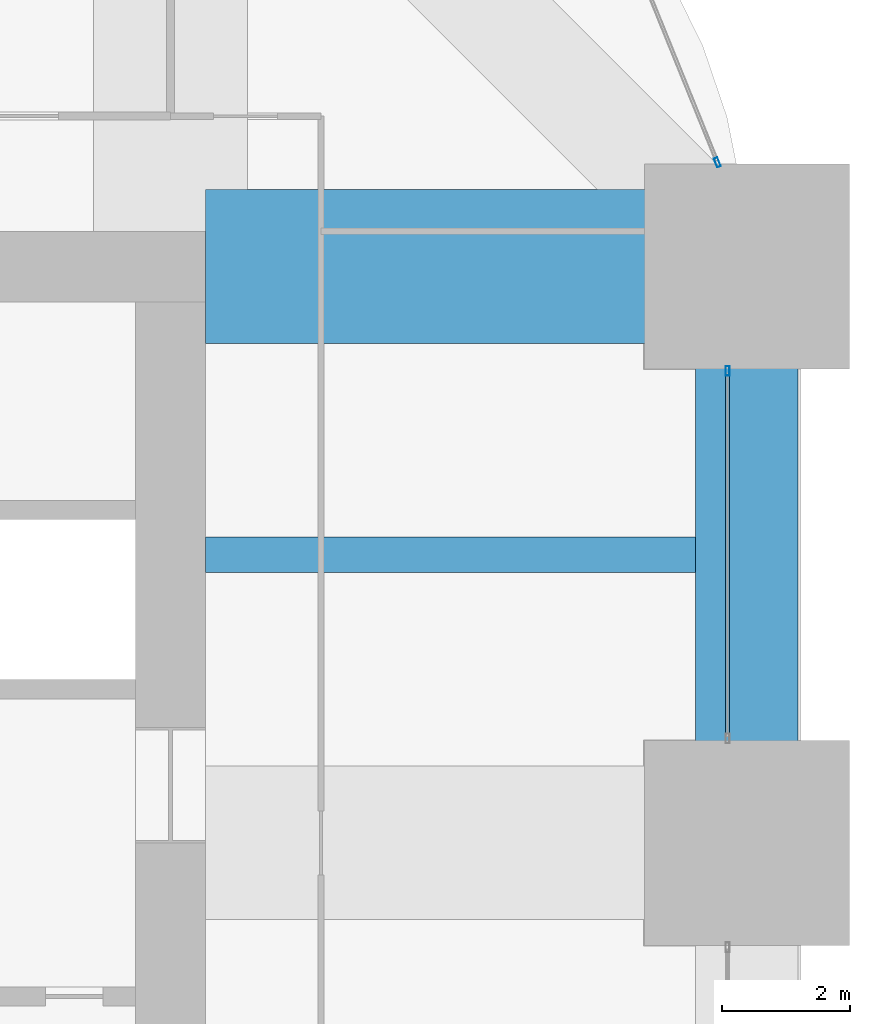
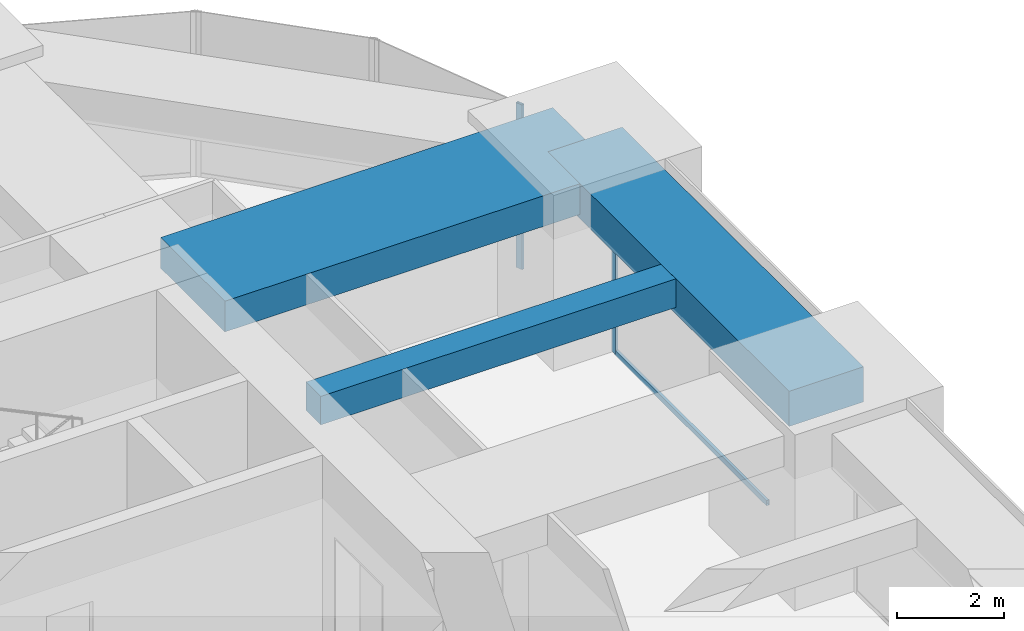
# One storey, part 28 of 36: 3 beams, 3 members, 2 elements without a shape of their own.
"""IFC4 building model written with IfcOpenShell, lengths in metres."""

from ifc_helpers import new_model, si_unit, direction, frame, origin, origin_2d, place, context, subcontext, project, spatial, rectangle, hollow_rectangle, extrude, material, material_profile, profile_set, type_object, element, aggregate, save


model = new_model("IFC4")

# Units and contexts
model_context = context("Model", 3, precision=1e-05, world=origin(), true_north=direction((0.0, 1.0)))
body_context = subcontext(model_context, "Body", "Model", "MODEL_VIEW")
ifc_project = project(units=[si_unit("LENGTHUNIT", "METRE"), si_unit("AREAUNIT", "SQUARE_METRE"), si_unit("VOLUMEUNIT", "CUBIC_METRE"), si_unit("PLANEANGLEUNIT", "RADIAN"), si_unit("MASSUNIT", "GRAM", prefix="KILO")], contexts=[model_context])

# Site, building, storey
site_placement = place(None, origin())
site = spatial("IfcSite", under=ifc_project, at=site_placement, CompositionType="ELEMENT")
building_placement = place(site_placement, origin())
building = spatial("IfcBuilding", under=site, at=building_placement, Name="Zorevar Civic Tower", CompositionType="ELEMENT")
storey_placement = place(building_placement, frame((0.0, 0.0, 166.199951171875)))
storey = spatial("IfcBuildingStorey", under=building, at=storey_placement, Name="L40", CompositionType="ELEMENT", Elevation=166.199951171875)

# Beams
ifc_material_1 = material(Name="Concrete C50/60", Category="concrete")
ifc_material_profile_1 = material_profile(ifc_material_1, rectangle(XDim=2.39990234375, YDim=0.699951171875, at=origin_2d()), Name="RC 2400x700")
ifc_profile_set_1 = profile_set([ifc_material_profile_1], Name="Concrete C50/60")
beam_type_1 = type_object("IfcBeamType", Name="Beam RC 2400x700", PredefinedType="BEAM", material=ifc_profile_set_1)
beam_1_placement = place(storey_placement, frame((45.550048828125, 36.0, 3.400146484375), z_axis=(1.0, 0.0, 0.0), x_axis=(0.0, 1.0, 0.0)))
element("IfcBeam", 1, at=beam_1_placement, inside=storey, type_object=beam_type_1, Name="Girder L41", PredefinedType="BEAM", context=body_context, shape_type="SweptSolid", body=[
    extrude(rectangle(XDim=2.39990234375, YDim=0.699951171875, at=origin_2d()), origin(), (0.0, 0.0, 1.0), 8.449951171875),
])
ifc_material_2 = material(Name="Concrete C50/60", Category="concrete")
ifc_material_profile_2 = material_profile(ifc_material_2, rectangle(XDim=0.550048828125, YDim=0.64990234375, at=origin_2d()), Name="RC 550x650")
ifc_profile_set_2 = profile_set([ifc_material_profile_2], Name="Concrete C50/60")
beam_type_2 = type_object("IfcBeamType", Name="Beam RC 550x650", PredefinedType="BEAM", material=ifc_profile_set_2)
beam_2_placement = place(storey_placement, frame((45.550048828125, 31.5, 3.425048828125), z_axis=(1.0, 0.0, 0.0), x_axis=(0.0, 1.0, 0.0)))
element("IfcBeam", 2, at=beam_2_placement, inside=storey, type_object=beam_type_2, Name="Secondary beam L41", PredefinedType="BEAM", context=body_context, shape_type="SweptSolid", body=[
    extrude(rectangle(XDim=0.550048828125, YDim=0.64990234375, at=origin_2d()), origin(), (0.0, 0.0, 1.0), 7.64990234375),
])

# Curtain wall, member
ifc_material_3 = material(Name="Dark grey solar-control glass in black aluminium frame", Category="aluminium")
curtain_wall_type = type_object("IfcCurtainWallType", Name="Curtain wall CW4 high zone", PredefinedType="NOTDEFINED", material=ifc_material_3)
curtain_wall_1_placement = place(storey_placement, origin())
curtain_wall_1 = element("IfcCurtainWall", 3, at=curtain_wall_1_placement, inside=storey, type_object=curtain_wall_type, Name="CW4 L40", PredefinedType="NOTDEFINED")
ifc_material_4 = material(Name="Aluminium, black anodised", Category="aluminium")
ifc_material_profile_3 = material_profile(ifc_material_4, hollow_rectangle(XDim=0.06005859375, YDim=0.14990234375, WallThickness=0.00390625, at=origin_2d()), Name="AL 150x60x4")
ifc_profile_set_3 = profile_set([ifc_material_profile_3], Name="Aluminium, black anodised")
member_type_1 = type_object("IfcMemberType", Name="CW4 mullion AL 150x60x4", PredefinedType="MULLION", material=ifc_profile_set_3)
member_1_placement = place(storey_placement, frame((53.699951171875, 34.3701171875, 0.0), z_axis=(0.0, 0.0, 1.0), x_axis=(-1.0, 0.0, 0.0)))
member_1 = element("IfcMember", 4, at=member_1_placement, type_object=member_type_1, Name="CW4 mullion 2", PredefinedType="MULLION", context=body_context, shape_type="SweptSolid", body=[
    extrude(hollow_rectangle(XDim=0.06005859375, YDim=0.14990234375, WallThickness=0.00390625, at=origin_2d()), origin(), (0.0, 0.0, 1.0), 2.949951171875),
])

curtain_wall_2_placement = place(storey_placement, origin())
curtain_wall_2 = element("IfcCurtainWall", 5, at=curtain_wall_2_placement, inside=storey, type_object=curtain_wall_type, Name="CW4 L40", PredefinedType="NOTDEFINED")
member_2_placement = place(storey_placement, frame((53.540283203125, 37.627685546875, 0.0), z_axis=(0.0, 0.0, 1.0), x_axis=(-0.926761540227, -0.375650166453, 0.0)))
member_2 = element("IfcMember", 6, at=member_2_placement, type_object=member_type_1, Name="CW4 mullion 1", PredefinedType="MULLION", context=body_context, shape_type="SweptSolid", body=[
    extrude(hollow_rectangle(XDim=0.06005859375, YDim=0.14990234375, WallThickness=0.00390625, at=origin_2d()), origin(), (0.0, 0.0, 1.0), 3.75),
])
aggregate(curtain_wall_2, [member_2])

# Member
ifc_material_5 = material(Name="Aluminium, black anodised", Category="aluminium")
ifc_material_profile_4 = material_profile(ifc_material_5, hollow_rectangle(XDim=0.06005859375, YDim=0.1201171875, WallThickness=0.0029296875, at=origin_2d()), Name="AL 120x60x3")
ifc_profile_set_4 = profile_set([ifc_material_profile_4], Name="Aluminium, black anodised")
member_type_2 = type_object("IfcMemberType", Name="CW4 transom AL 120x60x3", PredefinedType="USERDEFINED", material=ifc_profile_set_4)
member_3_placement = place(storey_placement, frame((53.699951171875, 28.659912109375, 0.030029296875), z_axis=(0.0, 1.0, 0.0), x_axis=(-1.0, 0.0, 0.0)))
member_3 = element("IfcMember", 7, at=member_3_placement, type_object=member_type_2, Name="CW4 sill transom", ObjectType="TRANSOM", PredefinedType="USERDEFINED", context=body_context, shape_type="SweptSolid", body=[
    extrude(hollow_rectangle(XDim=0.06005859375, YDim=0.1201171875, WallThickness=0.0029296875, at=origin_2d()), origin(), (0.0, 0.0, 1.0), 5.68017578125),
])

aggregate(curtain_wall_1, [member_1, member_3])

# Beam
ifc_material_6 = material(Name="Concrete C50/60", Category="concrete")
ifc_material_profile_5 = material_profile(ifc_material_6, rectangle(XDim=1.60009765625, YDim=0.800048828125, at=origin_2d()), Name="RC 1600x800")
ifc_profile_set_5 = profile_set([ifc_material_profile_5], Name="Concrete C50/60")
beam_type_3 = type_object("IfcBeamType", Name="Edge beam RC 1600x800", PredefinedType="SPANDREL", material=ifc_profile_set_5)
beam_3_placement = place(storey_placement, frame((54.0, 27.0, 3.35009765625), z_axis=(0.0, 1.0, 0.0), x_axis=(-1.0, 0.0, 0.0)))
element("IfcBeam", 8, at=beam_3_placement, inside=storey, type_object=beam_type_3, Name="Edge beam L41", PredefinedType="SPANDREL", context=body_context, shape_type="SweptSolid", body=[
    extrude(rectangle(XDim=1.60009765625, YDim=0.800048828125, at=origin_2d()), origin(), (0.0, 0.0, 1.0), 9.0),
])

save(model, "model.ifc")
